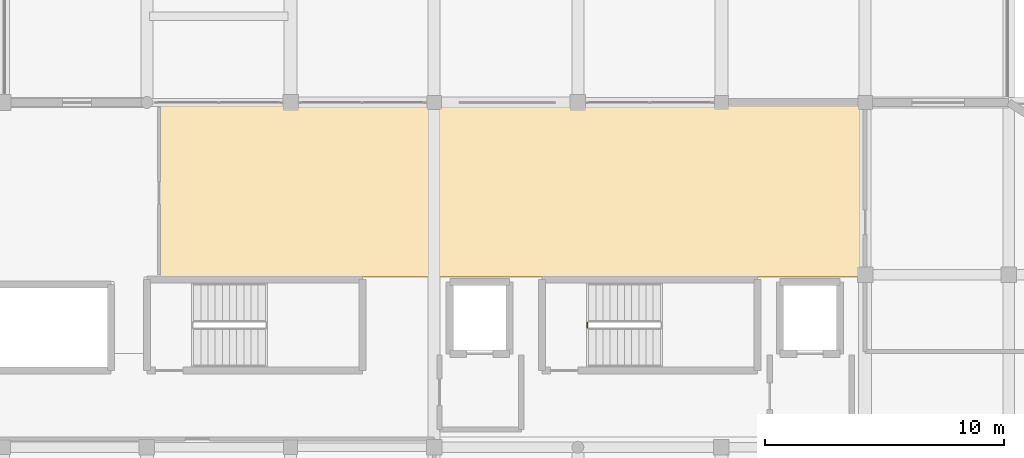
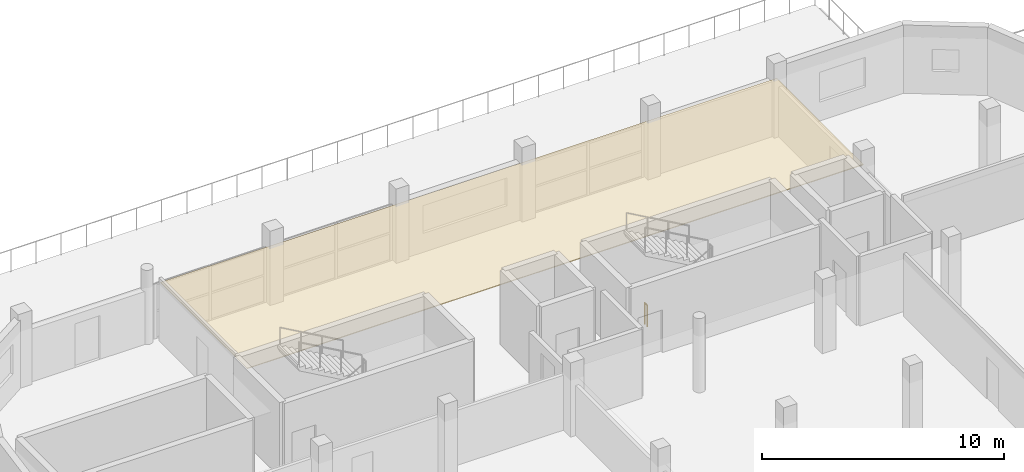
# One storey, part 16 of 19: 1 covering, 1 railing.
"""IFC4 building model written with IfcOpenShell, lengths in metres."""

import ifcopenshell
import ifcopenshell.guid

model = None  # the IFC model being written
_history = None  # IfcOwnerHistory: only IFC2X3 demands one
_inside = {}  # id of a spatial element -> (the spatial element, [elements in it])
_under = {}  # id of a project, library or spatial element -> (it, [spatial elements below it])
_declared = {}  # id of a project -> (the project, [libraries it declares])
_typed = {}  # id of a type object -> (the type object, [elements of that type])
_made_of = {}  # id of a material, layer set ... -> (it, [elements and type objects made of it])


def new_model(schema):
    """Start an empty IFC model of exactly this schema.

    Asked for "IFC4X3", IfcOpenShell would pick the latest addendum, in which some entities
    have other attributes; the version numbers below select the first issue.
    IFC2X3 requires an IfcOwnerHistory on every rooted entity: one is made here for all.
    """
    global model, _history
    if schema == "IFC4X3":
        model = ifcopenshell.file(schema_version=(4, 3, 0, 0))
    else:
        model = ifcopenshell.file(schema=schema)
    _inside.clear()
    _under.clear()
    _declared.clear()
    _typed.clear()
    _made_of.clear()
    _history = None
    if model.schema == "IFC2X3":
        org = make("IfcOrganization", Name="unknown")
        user = make(
            "IfcPersonAndOrganization",
            ThePerson=make("IfcPerson", FamilyName="unknown"),
            TheOrganization=org,
        )
        app = make(
            "IfcApplication",
            ApplicationDeveloper=org,
            Version="unknown",
            ApplicationFullName="unknown",
            ApplicationIdentifier="unknown",
        )
        _history = make(
            "IfcOwnerHistory",
            OwningUser=user,
            OwningApplication=app,
            ChangeAction="ADDED",
            CreationDate=0,
        )
    return model


def make(cls, **values):
    """One entity of the class cls with the attributes given. An attribute that is None is left unset."""
    return model.create_entity(
        cls, **{name: value for name, value in values.items() if value is not None}
    )


def rooted(cls, **values):
    """An entity with a GlobalId (a new one), such as an element, a storey or a relation."""
    return make(cls, GlobalId=ifcopenshell.guid.new(), OwnerHistory=_history, **values)


def si_unit(unit_type, name, prefix=None):
    """IfcSIUnit, for example si_unit("LENGTHUNIT", "METRE", prefix="MILLI")."""
    return make("IfcSIUnit", UnitType=unit_type, Prefix=prefix, Name=name)


def assignment(units):
    """IfcUnitAssignment: the units of a project."""
    return None if units is None else make("IfcUnitAssignment", Units=units)


def point(xyz):
    """IfcCartesianPoint."""
    return None if xyz is None else make("IfcCartesianPoint", Coordinates=xyz)


def direction(xyz):
    """IfcDirection."""
    return None if xyz is None else make("IfcDirection", DirectionRatios=xyz)


def frame(location, z_axis=None, x_axis=None):
    """IfcAxis2Placement3D, a coordinate frame: its origin and axes. An axis left out is left unset."""
    return make(
        "IfcAxis2Placement3D",
        Location=point(location),
        Axis=direction(z_axis),
        RefDirection=direction(x_axis),
    )


def frame_2d(location, x_axis=None):
    """IfcAxis2Placement2D, a coordinate frame in the plane: its origin and x axis."""
    return make(
        "IfcAxis2Placement2D", Location=point(location), RefDirection=direction(x_axis)
    )


def origin():
    """The frame at (0, 0, 0) with its axes left unset."""
    return frame((0.0, 0.0, 0.0))


def origin_2d():
    """The frame at (0, 0) in the plane with its x axis left unset."""
    return frame_2d((0.0, 0.0))


def place(relative_to, where):
    """IfcLocalPlacement: puts the frame where relative to a parent placement (None: the world)."""
    return make(
        "IfcLocalPlacement", PlacementRelTo=relative_to, RelativePlacement=where
    )


def context(
    kind, dimensions, precision=None, world=None, true_north=None, identifier=None
):
    """IfcGeometricRepresentationContext, for example the 3D "Model" context."""
    return make(
        "IfcGeometricRepresentationContext",
        ContextIdentifier=identifier,
        ContextType=kind,
        CoordinateSpaceDimension=dimensions,
        Precision=precision,
        WorldCoordinateSystem=world,
        TrueNorth=true_north,
    )


def subcontext(parent, identifier, kind, view, scale=None):
    """IfcGeometricRepresentationSubContext, for example "Body" below "Model"."""
    return make(
        "IfcGeometricRepresentationSubContext",
        ContextIdentifier=identifier,
        ContextType=kind,
        ParentContext=parent,
        TargetScale=scale,
        TargetView=view,
    )


def project(units=None, contexts=None):
    """IfcProject with its units and contexts."""
    return rooted(
        "IfcProject",
        Name="project",
        RepresentationContexts=contexts,
        UnitsInContext=assignment(units),
    )


def spatial(cls, under=None, at=None, **own):
    """A site, building, storey or space (cls), placed at a placement, below another one or the project."""
    s = rooted(cls, ObjectPlacement=at, **own)
    if under is not None:
        _under.setdefault(under.id(), (under, []))[1].append(s)
    return s


def polyline(points):
    """IfcPolyline through the points."""
    return make("IfcPolyline", Points=[point(p) for p in points])


def profile(cls, at=None, kind="AREA", **sizes):
    """A parametric profile (cls). Its sizes go by their IFC names, for example OverallWidth=200.0."""
    return make(cls, ProfileType=kind, Position=at, **sizes)


def circle(**sizes):
    """IfcCircleProfileDef."""
    return profile("IfcCircleProfileDef", **sizes)


def outline(outer, holes=None, kind="AREA"):
    """IfcArbitraryClosedProfileDef: a profile drawn as a closed curve; with holes, ...WithVoids."""
    if holes is None:
        return make("IfcArbitraryClosedProfileDef", ProfileType=kind, OuterCurve=outer)
    return make(
        "IfcArbitraryProfileDefWithVoids",
        ProfileType=kind,
        OuterCurve=outer,
        InnerCurves=holes,
    )


def extrude(swept, where, along, depth):
    """IfcExtrudedAreaSolid: the profile swept, set in the frame where, extruded along a direction by depth."""
    return make(
        "IfcExtrudedAreaSolid",
        SweptArea=swept,
        Position=where,
        ExtrudedDirection=direction(along),
        Depth=depth,
    )


def shape(context_of_items, identifier, shape_type, items):
    """IfcShapeRepresentation: the items that make up one representation, for example the "Body"."""
    return make(
        "IfcShapeRepresentation",
        ContextOfItems=context_of_items,
        RepresentationIdentifier=identifier,
        RepresentationType=shape_type,
        Items=items,
    )


def material(Name=None, Category=None):
    """IfcMaterial."""
    return make("IfcMaterial", Name=Name, Category=Category)


def layer(
    of_material, thickness, ventilated=None, Name=None, Category=None, Priority=None
):
    """IfcMaterialLayer: one layer of a wall or slab, of a material (None: an air gap)."""
    return make(
        "IfcMaterialLayer",
        Material=of_material,
        LayerThickness=thickness,
        IsVentilated=ventilated,
        Name=Name,
        Category=Category,
        Priority=Priority,
    )


def layer_set(layers, Name=None):
    """IfcMaterialLayerSet."""
    return make("IfcMaterialLayerSet", MaterialLayers=layers, LayerSetName=Name)


def made_of(thing, what):
    """Note that an element or type object is made of a material, layer set ...; save() writes the relation."""
    if what is not None:
        _made_of.setdefault(what.id(), (what, []))[1].append(thing)
    return thing


def type_object(cls, material=None, **own):
    """A type object (cls), such as IfcWallType, which elements share."""
    return made_of(rooted(cls, **own), material)


def element(
    cls,
    number,
    at=None,
    inside=None,
    cuts=None,
    type_object=None,
    material=None,
    context=None,
    identifier="Body",
    shape_type=None,
    held_by="IfcProductDefinitionShape",
    body=None,
    shapes=None,
    **own,
):
    """One element of the class cls, such as IfcWall. Its Tag is "e" and its number.

    at: its placement. inside: the storey or other place that contains it. cuts: it is an
    opening in that element (IfcRelVoidsElement). A single representation is given by context,
    identifier, shape_type and body (its items); several are given by shapes. held_by: the class
    of the entity that holds the representations. save() writes the other relations.
    """
    e = rooted(cls, Tag="e%d" % number, ObjectPlacement=at, **own)
    if body is not None:
        shapes = [shape(context, identifier, shape_type, body)]
    if shapes is not None:
        e.Representation = make(held_by, Representations=shapes)
    if inside is not None:
        _inside.setdefault(inside.id(), (inside, []))[1].append(e)
    if cuts is not None:
        rooted(
            "IfcRelVoidsElement", RelatingBuildingElement=cuts, RelatedOpeningElement=e
        )
    if type_object is not None:
        _typed.setdefault(type_object.id(), (type_object, []))[1].append(e)
    return made_of(e, material)


def aggregate(whole, parts):
    """IfcRelAggregates: a whole, such as a stair, and the parts it consists of."""
    return rooted("IfcRelAggregates", RelatingObject=whole, RelatedObjects=parts)


def save(model, path):
    """Write the relations noted so far, then the file.

    IfcRelAggregates (storeys below a building ...), IfcRelContainedInSpatialStructure (elements
    in a storey), IfcRelDefinesByType, IfcRelAssociatesMaterial and IfcRelDeclares: one each for
    every whole, place, type object, material and project.
    """
    for whole, parts in _under.values():
        aggregate(whole, parts)
    for where, things in _inside.values():
        rooted(
            "IfcRelContainedInSpatialStructure",
            RelatedElements=things,
            RelatingStructure=where,
        )
    for kind, things in _typed.values():
        rooted("IfcRelDefinesByType", RelatedObjects=things, RelatingType=kind)
    for what, things in _made_of.values():
        rooted("IfcRelAssociatesMaterial", RelatedObjects=things, RelatingMaterial=what)
    for by, libraries in _declared.values():
        rooted("IfcRelDeclares", RelatingContext=by, RelatedDefinitions=libraries)
    model.write(path)


model = new_model("IFC4")

# Units and contexts
model_context = context("Model", 3, precision=1e-05, world=origin(), true_north=direction((0.0, 1.0)))
body_context = subcontext(model_context, "Body", "Model", "MODEL_VIEW")
ifc_project = project(units=[si_unit("LENGTHUNIT", "METRE"), si_unit("AREAUNIT", "SQUARE_METRE"), si_unit("VOLUMEUNIT", "CUBIC_METRE"), si_unit("PLANEANGLEUNIT", "RADIAN"), si_unit("MASSUNIT", "GRAM", prefix="KILO")], contexts=[model_context])

# Site, building, storey
site_placement = place(None, origin())
site = spatial("IfcSite", under=ifc_project, at=site_placement, CompositionType="ELEMENT")
building_placement = place(site_placement, origin())
building = spatial("IfcBuilding", under=site, at=building_placement, Name="Dunvalen Ferry Terminal", CompositionType="ELEMENT")
storey_placement = place(building_placement, frame((0.0, 0.0, 13.580078125)))
storey = spatial("IfcBuildingStorey", under=building, at=storey_placement, Name="L03", CompositionType="ELEMENT", Elevation=13.580078125)

# Covering
ifc_material_1 = material(Name="Perforated marine aluminium acoustic baffle ceiling", Category="aluminium")
ifc_layer = layer(ifc_material_1, 0.0400390625, Name="Perforated marine aluminium acoustic baffle ceiling")
ifc_layer_set = layer_set([ifc_layer], Name="Perforated marine aluminium acoustic baffle ceiling")
covering_type = type_object("IfcCoveringType", Name="INT-COV-CLG01", PredefinedType="CEILING", material=ifc_layer_set)
covering_placement = place(storey_placement, frame((0.0, 0.0, 2.809814453125)))
element("IfcCovering", 1, at=covering_placement, inside=storey, type_object=covering_type, Name="L03 Senior Pilot Watch and Tidal Telemetry Suite Acoustic Suspended Ceiling", PredefinedType="CEILING", context=body_context, shape_type="SweptSolid", body=[
    extrude(outline(polyline([(24.570068359375, 28.669921875), (24.570068359375, 21.52001953125), (53.929931640625, 21.510009765625), (53.929931640625, 28.669921875), (24.570068359375, 28.669921875)])), origin(), (0.0, 0.0, 1.0), 0.0400390625),
])

# Railing
ifc_material_2 = material(Name="Painted galvanised steel S275", Category="steel")
railing_type = type_object("IfcRailingType", Name="INT-RL-STGRD", PredefinedType="GUARDRAIL", material=ifc_material_2)
railing_placement = place(storey_placement, frame((42.39990234375, 19.39990234375, 0.0)))
element("IfcRailing", 2, at=railing_placement, inside=storey, type_object=railing_type, Name="L03 ST2 stair guard 4", PredefinedType="GUARDRAIL", context=body_context, shape_type="SweptSolid", body=[
    extrude(circle(Radius=0.02392578125, at=origin_2d()), frame((0.0, 0.0, 1.076171875), z_axis=(0.0, 1.0, 0.0), x_axis=(-1.0, 0.0, 0.0)), (0.0, 0.0, 1.0), 0.2001953125),
    extrude(circle(Radius=0.02099609375, at=origin_2d()), origin(), (0.0, 0.0, 1.0), 1.052001953125),
    extrude(circle(Radius=0.02099609375, at=origin_2d()), frame((0.0, 0.2001953125, 0.0)), (0.0, 0.0, 1.0), 1.052001953125),
])

save(model, "model.ifc")
